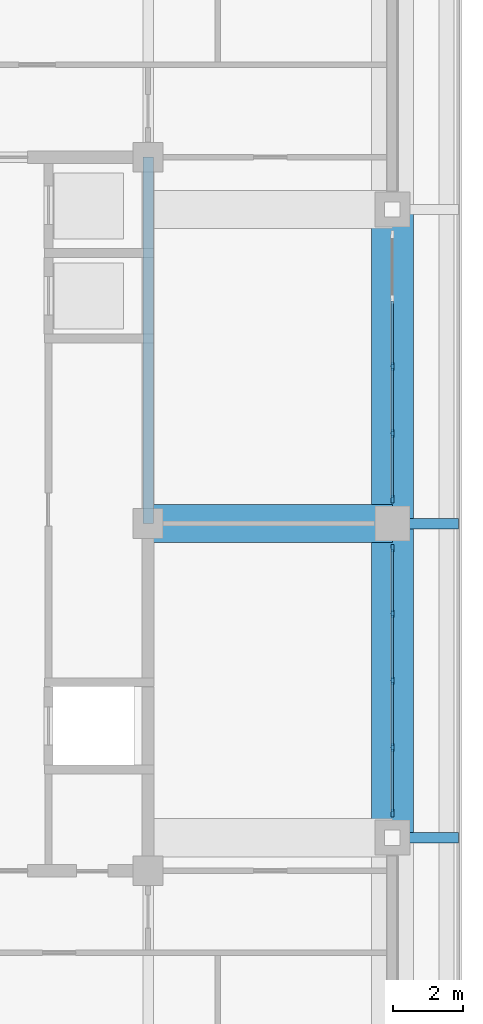
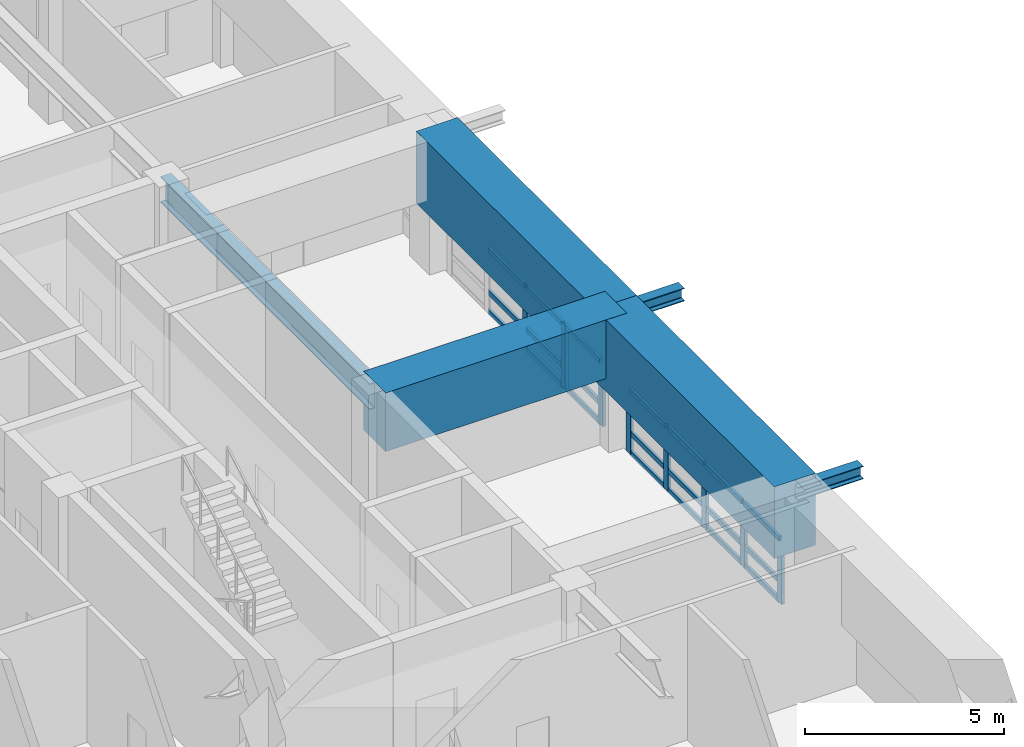
# One storey, part 4 of 20: 29 members, 6 beams, 2 elements without a shape of their own.
"""IFC4 building model written with IfcOpenShell, lengths in metres."""

from ifc_helpers import new_model, si_unit, direction, frame, origin, origin_2d, place, context, subcontext, project, spatial, rectangle, i_section, extrude, material, material_profile, profile_set, type_object, element, aggregate, save


model = new_model("IFC4")

# Units and contexts
model_context = context("Model", 3, precision=1e-05, world=origin(), true_north=direction((0.0, 1.0)))
body_context = subcontext(model_context, "Body", "Model", "MODEL_VIEW")
ifc_project = project(units=[si_unit("LENGTHUNIT", "METRE"), si_unit("AREAUNIT", "SQUARE_METRE"), si_unit("VOLUMEUNIT", "CUBIC_METRE"), si_unit("PLANEANGLEUNIT", "RADIAN"), si_unit("MASSUNIT", "GRAM", prefix="KILO")], contexts=[model_context])

# Site, building, storey
site_placement = place(None, origin())
site = spatial("IfcSite", under=ifc_project, at=site_placement, CompositionType="ELEMENT")
building_placement = place(site_placement, origin())
building = spatial("IfcBuilding", under=site, at=building_placement, Name="Zulmaris Gate Convention Tower", CompositionType="ELEMENT")
storey_placement = place(building_placement, frame((0.0, 0.0, 158.23974609375)))
storey = spatial("IfcBuildingStorey", under=building, at=storey_placement, Name="L40", CompositionType="ELEMENT", Elevation=158.23974609375)

# Beams
ifc_material_1 = material(Name="Steel S355", Category="steel")
ifc_material_profile_1 = material_profile(ifc_material_1, i_section(OverallWidth=0.300048828125, OverallDepth=0.39990234375, WebThickness=0.013427734375, FlangeThickness=0.02392578125, FilletRadius=0.027099609375, at=origin_2d()), Name="HEB 400")
ifc_profile_set_1 = profile_set([ifc_material_profile_1], Name="Steel S355")
beam_type_1 = type_object("IfcBeamType", Name="BM-HEB400", PredefinedType="BEAM", material=ifc_profile_set_1)
for number, where, z_axis, x_axis, name in (
    (1, (27.0, -9.0, 3.830078125), (1.0, 0.0, 0.0), (0.0, 1.0, 0.0), "L40 Beam TBRK-L40-E--9"),
    (2, (27.0, 0.0, 3.830078125), (1.0, 0.0, 0.0), (0.0, 1.0, 0.0), "L40 Beam TBRK-L40-E-+0"),
):
    element("IfcBeam", number, at=place(storey_placement, frame(where, z_axis=z_axis, x_axis=x_axis)), inside=storey, type_object=beam_type_1, Name=name, PredefinedType="BEAM", context=body_context, shape_type="SweptSolid", body=[
        extrude(i_section(OverallWidth=0.300048828125, OverallDepth=0.39990234375, WebThickness=0.013427734375, FlangeThickness=0.02392578125, FilletRadius=0.027099609375, at=origin_2d()), origin(), (0.0, 0.0, 1.0), 1.89990234375),
    ])
ifc_material_profile_2 = material_profile(ifc_material_1, i_section(OverallWidth=0.300048828125, OverallDepth=0.800048828125, WebThickness=0.017578125, FlangeThickness=0.032958984375, FilletRadius=0.030029296875, at=origin_2d()), Name="HEB 800")
ifc_profile_set_2 = profile_set([ifc_material_profile_2], Name="Steel S355")
beam_type_2 = type_object("IfcBeamType", Name="BM-HEB800", PredefinedType="BEAM", material=ifc_profile_set_2)
beam_1_placement = place(storey_placement, frame((20.0, 0.0, 3.76806640625), z_axis=(0.0, 1.0, 0.0), x_axis=(-1.0, 0.0, 0.0)))
element("IfcBeam", 3, at=beam_1_placement, inside=storey, type_object=beam_type_2, Name="L40 Beam BM-L40-G29", PredefinedType="BEAM", context=body_context, shape_type="SweptSolid", body=[
    extrude(i_section(OverallWidth=0.300048828125, OverallDepth=0.800048828125, WebThickness=0.017578125, FlangeThickness=0.032958984375, FilletRadius=0.030029296875, at=origin_2d()), origin(), (0.0, 0.0, 1.0), 10.5),
])
ifc_material_2 = material(Name="Concrete C80/95", Category="concrete")
ifc_material_profile_3 = material_profile(ifc_material_2, rectangle(XDim=1.10009765625, YDim=1.800048828125, at=origin_2d()), Name="RC TRANSFER 1100x1800")
ifc_profile_set_3 = profile_set([ifc_material_profile_3], Name="Concrete C80/95")
beam_type_3 = type_object("IfcBeamType", Name="BM-XFER1800", PredefinedType="BEAM", material=ifc_profile_set_3)
beam_2_placement = place(storey_placement, frame((20.0, 0.0, 3.270263671875), z_axis=(1.0, 0.0, 0.0), x_axis=(0.0, 1.0, 0.0)))
element("IfcBeam", 4, at=beam_2_placement, inside=storey, type_object=beam_type_3, Name="L40 Beam BM-L40-G20", PredefinedType="BEAM", context=body_context, shape_type="SweptSolid", body=[
    extrude(rectangle(XDim=1.10009765625, YDim=1.800048828125, at=origin_2d()), origin(), (0.0, 0.0, 1.0), 7.0),
])
ifc_material_profile_4 = material_profile(ifc_material_2, rectangle(XDim=1.199951171875, YDim=2.199951171875, at=origin_2d()), Name="RC TRANSFER 1200x2200")
ifc_profile_set_4 = profile_set([ifc_material_profile_4], Name="Concrete C80/95")
beam_type_4 = type_object("IfcBeamType", Name="BM-XFER2200", PredefinedType="BEAM", material=ifc_profile_set_4)
for number, where, z_axis, x_axis, name in (
    (5, (27.0, -9.0, 3.070068359375), (0.0, 1.0, 0.0), (-1.0, 0.0, 0.0), "L40 Beam SP-L40-08"),
    (6, (27.0, 0.0, 3.070068359375), (0.0, 1.0, 0.0), (-1.0, 0.0, 0.0), "L40 Beam SP-L40-09"),
):
    element("IfcBeam", number, at=place(storey_placement, frame(where, z_axis=z_axis, x_axis=x_axis)), inside=storey, type_object=beam_type_4, Name=name, PredefinedType="BEAM", context=body_context, shape_type="SweptSolid", body=[
        extrude(rectangle(XDim=1.199951171875, YDim=2.199951171875, at=origin_2d()), origin(), (0.0, 0.0, 1.0), 9.0),
    ])

# Curtain wall, members
ifc_material_3 = material(Name="Anodised Aluminium", Category="aluminium")
curtain_wall_type = type_object("IfcCurtainWallType", Name="CW-04", PredefinedType="NOTDEFINED", material=ifc_material_3)
curtain_wall_1_placement = place(storey_placement, origin())
curtain_wall_1 = element("IfcCurtainWall", 7, at=curtain_wall_1_placement, inside=storey, type_object=curtain_wall_type, Name="CW-04 CW04-L40-E-1_0", PredefinedType="NOTDEFINED")
ifc_material_profile_5 = material_profile(ifc_material_3, rectangle(XDim=0.090087890625, YDim=0.219970703125, at=origin_2d()), Name="ALU MULLION 90x220")
ifc_profile_set_5 = profile_set([ifc_material_profile_5], Name="Anodised Aluminium")
member_type_1 = type_object("IfcMemberType", Name="CW-04-MULL", PredefinedType="MULLION", material=ifc_profile_set_5)
member_1_placement = place(storey_placement, frame((27.0, -8.294921875, 0.0), z_axis=(0.0, 0.0, 1.0), x_axis=(-1.0, 0.0, 0.0)))
member_1 = element("IfcMember", 8, at=member_1_placement, type_object=member_type_1, Name="CW-04 mullion 1", PredefinedType="MULLION", context=body_context, shape_type="SweptSolid", body=[
    extrude(rectangle(XDim=0.090087890625, YDim=0.219970703125, at=origin_2d()), origin(), (0.0, 0.0, 1.0), 1.962158203125),
])
member_2_placement = place(storey_placement, frame((27.0, -6.419921875, 0.0), z_axis=(0.0, 0.0, 1.0), x_axis=(-1.0, 0.0, 0.0)))
member_2 = element("IfcMember", 9, at=member_2_placement, type_object=member_type_1, Name="CW-04 mullion 2", PredefinedType="MULLION", context=body_context, shape_type="SweptSolid", body=[
    extrude(rectangle(XDim=0.090087890625, YDim=0.219970703125, at=origin_2d()), origin(), (0.0, 0.0, 1.0), 1.962158203125),
])
member_3_placement = place(storey_placement, frame((27.0, -4.5, 0.0), z_axis=(0.0, 0.0, 1.0), x_axis=(-1.0, 0.0, 0.0)))
member_3 = element("IfcMember", 10, at=member_3_placement, type_object=member_type_1, Name="CW-04 mullion 3", PredefinedType="MULLION", context=body_context, shape_type="SweptSolid", body=[
    extrude(rectangle(XDim=0.090087890625, YDim=0.219970703125, at=origin_2d()), origin(), (0.0, 0.0, 1.0), 1.962158203125),
])
member_4_placement = place(storey_placement, frame((27.0, -2.580078125, 0.0), z_axis=(0.0, 0.0, 1.0), x_axis=(-1.0, 0.0, 0.0)))
member_4 = element("IfcMember", 11, at=member_4_placement, type_object=member_type_1, Name="CW-04 mullion 4", PredefinedType="MULLION", context=body_context, shape_type="SweptSolid", body=[
    extrude(rectangle(XDim=0.090087890625, YDim=0.219970703125, at=origin_2d()), origin(), (0.0, 0.0, 1.0), 1.962158203125),
])
member_5_placement = place(storey_placement, frame((27.0, -0.705078125, 0.0), z_axis=(0.0, 0.0, 1.0), x_axis=(-1.0, 0.0, 0.0)))
member_5 = element("IfcMember", 12, at=member_5_placement, type_object=member_type_1, Name="CW-04 mullion 5", PredefinedType="MULLION", context=body_context, shape_type="SweptSolid", body=[
    extrude(rectangle(XDim=0.090087890625, YDim=0.219970703125, at=origin_2d()), origin(), (0.0, 0.0, 1.0), 1.962158203125),
])

curtain_wall_2_placement = place(storey_placement, origin())
curtain_wall_2 = element("IfcCurtainWall", 13, at=curtain_wall_2_placement, inside=storey, type_object=curtain_wall_type, Name="CW-04 CW04-L40-E-2_0", PredefinedType="NOTDEFINED")
member_6_placement = place(storey_placement, frame((27.0, 0.705078125, 0.0), z_axis=(0.0, 0.0, 1.0), x_axis=(-1.0, 0.0, 0.0)))
member_6 = element("IfcMember", 14, at=member_6_placement, type_object=member_type_1, Name="CW-04 mullion 1", PredefinedType="MULLION", context=body_context, shape_type="SweptSolid", body=[
    extrude(rectangle(XDim=0.090087890625, YDim=0.219970703125, at=origin_2d()), origin(), (0.0, 0.0, 1.0), 1.962158203125),
])
member_7_placement = place(storey_placement, frame((27.0, 2.580078125, 0.0), z_axis=(0.0, 0.0, 1.0), x_axis=(-1.0, 0.0, 0.0)))
member_7 = element("IfcMember", 15, at=member_7_placement, type_object=member_type_1, Name="CW-04 mullion 2", PredefinedType="MULLION", context=body_context, shape_type="SweptSolid", body=[
    extrude(rectangle(XDim=0.090087890625, YDim=0.219970703125, at=origin_2d()), origin(), (0.0, 0.0, 1.0), 1.962158203125),
])
member_8_placement = place(storey_placement, frame((27.0, 4.5, 0.0), z_axis=(0.0, 0.0, 1.0), x_axis=(-1.0, 0.0, 0.0)))
member_8 = element("IfcMember", 16, at=member_8_placement, type_object=member_type_1, Name="CW-04 mullion 3", PredefinedType="MULLION", context=body_context, shape_type="SweptSolid", body=[
    extrude(rectangle(XDim=0.090087890625, YDim=0.219970703125, at=origin_2d()), origin(), (0.0, 0.0, 1.0), 1.962158203125),
])

# Member
ifc_material_profile_6 = material_profile(ifc_material_3, rectangle(XDim=0.074951171875, YDim=0.14990234375, at=origin_2d()), Name="ALU TRANSOM 75x150")
ifc_profile_set_6 = profile_set([ifc_material_profile_6], Name="Anodised Aluminium")
member_type_2 = type_object("IfcMemberType", Name="CW-04-TRAN", PredefinedType="USERDEFINED", material=ifc_profile_set_6)
member_9_placement = place(storey_placement, frame((27.0, -8.25, 0.037353515625), z_axis=(0.0, 1.0, 0.0), x_axis=(-1.0, 0.0, 0.0)))
member_9 = element("IfcMember", 17, at=member_9_placement, type_object=member_type_2, Name="CW-04 transom 1.1", ObjectType="TRANSOM", PredefinedType="USERDEFINED", context=body_context, shape_type="SweptSolid", body=[
    extrude(rectangle(XDim=0.074951171875, YDim=0.14990234375, at=origin_2d()), origin(), (0.0, 0.0, 1.0), 1.784912109375),
])

member_10_placement = place(storey_placement, frame((27.0, -8.25, 0.6279296875), z_axis=(0.0, 1.0, 0.0), x_axis=(-1.0, 0.0, 0.0)))
member_10 = element("IfcMember", 18, at=member_10_placement, type_object=member_type_2, Name="CW-04 transom 1.2", ObjectType="TRANSOM", PredefinedType="USERDEFINED", context=body_context, shape_type="SweptSolid", body=[
    extrude(rectangle(XDim=0.074951171875, YDim=0.14990234375, at=origin_2d()), origin(), (0.0, 0.0, 1.0), 1.784912109375),
])

member_11_placement = place(storey_placement, frame((27.0, -8.25, 1.924560546875), z_axis=(0.0, 1.0, 0.0), x_axis=(-1.0, 0.0, 0.0)))
member_11 = element("IfcMember", 19, at=member_11_placement, type_object=member_type_2, Name="CW-04 transom 1.3", ObjectType="TRANSOM", PredefinedType="USERDEFINED", context=body_context, shape_type="SweptSolid", body=[
    extrude(rectangle(XDim=0.074951171875, YDim=0.14990234375, at=origin_2d()), origin(), (0.0, 0.0, 1.0), 1.784912109375),
])

member_12_placement = place(storey_placement, frame((27.0, -6.375, 0.037353515625), z_axis=(0.0, 1.0, 0.0), x_axis=(-1.0, 0.0, 0.0)))
member_12 = element("IfcMember", 20, at=member_12_placement, type_object=member_type_2, Name="CW-04 transom 2.1", ObjectType="TRANSOM", PredefinedType="USERDEFINED", context=body_context, shape_type="SweptSolid", body=[
    extrude(rectangle(XDim=0.074951171875, YDim=0.14990234375, at=origin_2d()), origin(), (0.0, 0.0, 1.0), 1.830078125),
])

member_13_placement = place(storey_placement, frame((27.0, -6.375, 0.6279296875), z_axis=(0.0, 1.0, 0.0), x_axis=(-1.0, 0.0, 0.0)))
member_13 = element("IfcMember", 21, at=member_13_placement, type_object=member_type_2, Name="CW-04 transom 2.2", ObjectType="TRANSOM", PredefinedType="USERDEFINED", context=body_context, shape_type="SweptSolid", body=[
    extrude(rectangle(XDim=0.074951171875, YDim=0.14990234375, at=origin_2d()), origin(), (0.0, 0.0, 1.0), 1.830078125),
])

member_14_placement = place(storey_placement, frame((27.0, -6.375, 1.924560546875), z_axis=(0.0, 1.0, 0.0), x_axis=(-1.0, 0.0, 0.0)))
member_14 = element("IfcMember", 22, at=member_14_placement, type_object=member_type_2, Name="CW-04 transom 2.3", ObjectType="TRANSOM", PredefinedType="USERDEFINED", context=body_context, shape_type="SweptSolid", body=[
    extrude(rectangle(XDim=0.074951171875, YDim=0.14990234375, at=origin_2d()), origin(), (0.0, 0.0, 1.0), 1.830078125),
])

member_15_placement = place(storey_placement, frame((27.0, -4.455078125, 0.037353515625), z_axis=(0.0, 1.0, 0.0), x_axis=(-1.0, 0.0, 0.0)))
member_15 = element("IfcMember", 23, at=member_15_placement, type_object=member_type_2, Name="CW-04 transom 3.1", ObjectType="TRANSOM", PredefinedType="USERDEFINED", context=body_context, shape_type="SweptSolid", body=[
    extrude(rectangle(XDim=0.074951171875, YDim=0.14990234375, at=origin_2d()), origin(), (0.0, 0.0, 1.0), 1.830078125),
])

member_16_placement = place(storey_placement, frame((27.0, -4.455078125, 0.6279296875), z_axis=(0.0, 1.0, 0.0), x_axis=(-1.0, 0.0, 0.0)))
member_16 = element("IfcMember", 24, at=member_16_placement, type_object=member_type_2, Name="CW-04 transom 3.2", ObjectType="TRANSOM", PredefinedType="USERDEFINED", context=body_context, shape_type="SweptSolid", body=[
    extrude(rectangle(XDim=0.074951171875, YDim=0.14990234375, at=origin_2d()), origin(), (0.0, 0.0, 1.0), 1.830078125),
])

member_17_placement = place(storey_placement, frame((27.0, -4.455078125, 1.924560546875), z_axis=(0.0, 1.0, 0.0), x_axis=(-1.0, 0.0, 0.0)))
member_17 = element("IfcMember", 25, at=member_17_placement, type_object=member_type_2, Name="CW-04 transom 3.3", ObjectType="TRANSOM", PredefinedType="USERDEFINED", context=body_context, shape_type="SweptSolid", body=[
    extrude(rectangle(XDim=0.074951171875, YDim=0.14990234375, at=origin_2d()), origin(), (0.0, 0.0, 1.0), 1.830078125),
])

member_18_placement = place(storey_placement, frame((27.0, -2.534912109375, 0.037353515625), z_axis=(0.0, 1.0, 0.0), x_axis=(-1.0, 0.0, 0.0)))
member_18 = element("IfcMember", 26, at=member_18_placement, type_object=member_type_2, Name="CW-04 transom 4.1", ObjectType="TRANSOM", PredefinedType="USERDEFINED", context=body_context, shape_type="SweptSolid", body=[
    extrude(rectangle(XDim=0.074951171875, YDim=0.14990234375, at=origin_2d()), origin(), (0.0, 0.0, 1.0), 1.784912109375),
])

member_19_placement = place(storey_placement, frame((27.0, -2.534912109375, 0.6279296875), z_axis=(0.0, 1.0, 0.0), x_axis=(-1.0, 0.0, 0.0)))
member_19 = element("IfcMember", 27, at=member_19_placement, type_object=member_type_2, Name="CW-04 transom 4.2", ObjectType="TRANSOM", PredefinedType="USERDEFINED", context=body_context, shape_type="SweptSolid", body=[
    extrude(rectangle(XDim=0.074951171875, YDim=0.14990234375, at=origin_2d()), origin(), (0.0, 0.0, 1.0), 1.784912109375),
])

member_20_placement = place(storey_placement, frame((27.0, -2.534912109375, 1.924560546875), z_axis=(0.0, 1.0, 0.0), x_axis=(-1.0, 0.0, 0.0)))
member_20 = element("IfcMember", 28, at=member_20_placement, type_object=member_type_2, Name="CW-04 transom 4.3", ObjectType="TRANSOM", PredefinedType="USERDEFINED", context=body_context, shape_type="SweptSolid", body=[
    extrude(rectangle(XDim=0.074951171875, YDim=0.14990234375, at=origin_2d()), origin(), (0.0, 0.0, 1.0), 1.784912109375),
])

aggregate(curtain_wall_1, [member_1, member_2, member_3, member_4, member_5, member_9, member_10, member_11, member_12, member_13, member_14, member_15, member_16, member_17, member_18, member_19, member_20])

member_21_placement = place(storey_placement, frame((27.0, 0.75, 0.037353515625), z_axis=(0.0, 1.0, 0.0), x_axis=(-1.0, 0.0, 0.0)))
member_21 = element("IfcMember", 29, at=member_21_placement, type_object=member_type_2, Name="CW-04 transom 1.1", ObjectType="TRANSOM", PredefinedType="USERDEFINED", context=body_context, shape_type="SweptSolid", body=[
    extrude(rectangle(XDim=0.074951171875, YDim=0.14990234375, at=origin_2d()), origin(), (0.0, 0.0, 1.0), 1.784912109375),
])

member_22_placement = place(storey_placement, frame((27.0, 0.75, 0.6279296875), z_axis=(0.0, 1.0, 0.0), x_axis=(-1.0, 0.0, 0.0)))
member_22 = element("IfcMember", 30, at=member_22_placement, type_object=member_type_2, Name="CW-04 transom 1.2", ObjectType="TRANSOM", PredefinedType="USERDEFINED", context=body_context, shape_type="SweptSolid", body=[
    extrude(rectangle(XDim=0.074951171875, YDim=0.14990234375, at=origin_2d()), origin(), (0.0, 0.0, 1.0), 1.784912109375),
])

member_23_placement = place(storey_placement, frame((27.0, 0.75, 1.924560546875), z_axis=(0.0, 1.0, 0.0), x_axis=(-1.0, 0.0, 0.0)))
member_23 = element("IfcMember", 31, at=member_23_placement, type_object=member_type_2, Name="CW-04 transom 1.3", ObjectType="TRANSOM", PredefinedType="USERDEFINED", context=body_context, shape_type="SweptSolid", body=[
    extrude(rectangle(XDim=0.074951171875, YDim=0.14990234375, at=origin_2d()), origin(), (0.0, 0.0, 1.0), 1.784912109375),
])

member_24_placement = place(storey_placement, frame((27.0, 2.625, 0.037353515625), z_axis=(0.0, 1.0, 0.0), x_axis=(-1.0, 0.0, 0.0)))
member_24 = element("IfcMember", 32, at=member_24_placement, type_object=member_type_2, Name="CW-04 transom 2.1", ObjectType="TRANSOM", PredefinedType="USERDEFINED", context=body_context, shape_type="SweptSolid", body=[
    extrude(rectangle(XDim=0.074951171875, YDim=0.14990234375, at=origin_2d()), origin(), (0.0, 0.0, 1.0), 1.830078125),
])

member_25_placement = place(storey_placement, frame((27.0, 2.625, 0.6279296875), z_axis=(0.0, 1.0, 0.0), x_axis=(-1.0, 0.0, 0.0)))
member_25 = element("IfcMember", 33, at=member_25_placement, type_object=member_type_2, Name="CW-04 transom 2.2", ObjectType="TRANSOM", PredefinedType="USERDEFINED", context=body_context, shape_type="SweptSolid", body=[
    extrude(rectangle(XDim=0.074951171875, YDim=0.14990234375, at=origin_2d()), origin(), (0.0, 0.0, 1.0), 1.830078125),
])

member_26_placement = place(storey_placement, frame((27.0, 2.625, 1.924560546875), z_axis=(0.0, 1.0, 0.0), x_axis=(-1.0, 0.0, 0.0)))
member_26 = element("IfcMember", 34, at=member_26_placement, type_object=member_type_2, Name="CW-04 transom 2.3", ObjectType="TRANSOM", PredefinedType="USERDEFINED", context=body_context, shape_type="SweptSolid", body=[
    extrude(rectangle(XDim=0.074951171875, YDim=0.14990234375, at=origin_2d()), origin(), (0.0, 0.0, 1.0), 1.830078125),
])

member_27_placement = place(storey_placement, frame((27.0, 4.544921875, 0.037353515625), z_axis=(0.0, 1.0, 0.0), x_axis=(-1.0, 0.0, 0.0)))
member_27 = element("IfcMember", 35, at=member_27_placement, type_object=member_type_2, Name="CW-04 transom 3.1", ObjectType="TRANSOM", PredefinedType="USERDEFINED", context=body_context, shape_type="SweptSolid", body=[
    extrude(rectangle(XDim=0.074951171875, YDim=0.14990234375, at=origin_2d()), origin(), (0.0, 0.0, 1.0), 1.830078125),
])

member_28_placement = place(storey_placement, frame((27.0, 4.544921875, 0.6279296875), z_axis=(0.0, 1.0, 0.0), x_axis=(-1.0, 0.0, 0.0)))
member_28 = element("IfcMember", 36, at=member_28_placement, type_object=member_type_2, Name="CW-04 transom 3.2", ObjectType="TRANSOM", PredefinedType="USERDEFINED", context=body_context, shape_type="SweptSolid", body=[
    extrude(rectangle(XDim=0.074951171875, YDim=0.14990234375, at=origin_2d()), origin(), (0.0, 0.0, 1.0), 1.830078125),
])

member_29_placement = place(storey_placement, frame((27.0, 4.544921875, 1.924560546875), z_axis=(0.0, 1.0, 0.0), x_axis=(-1.0, 0.0, 0.0)))
member_29 = element("IfcMember", 37, at=member_29_placement, type_object=member_type_2, Name="CW-04 transom 3.3", ObjectType="TRANSOM", PredefinedType="USERDEFINED", context=body_context, shape_type="SweptSolid", body=[
    extrude(rectangle(XDim=0.074951171875, YDim=0.14990234375, at=origin_2d()), origin(), (0.0, 0.0, 1.0), 1.830078125),
])

aggregate(curtain_wall_2, [member_6, member_7, member_8, member_21, member_22, member_23, member_24, member_25, member_26, member_27, member_28, member_29])

save(model, "model.ifc")
